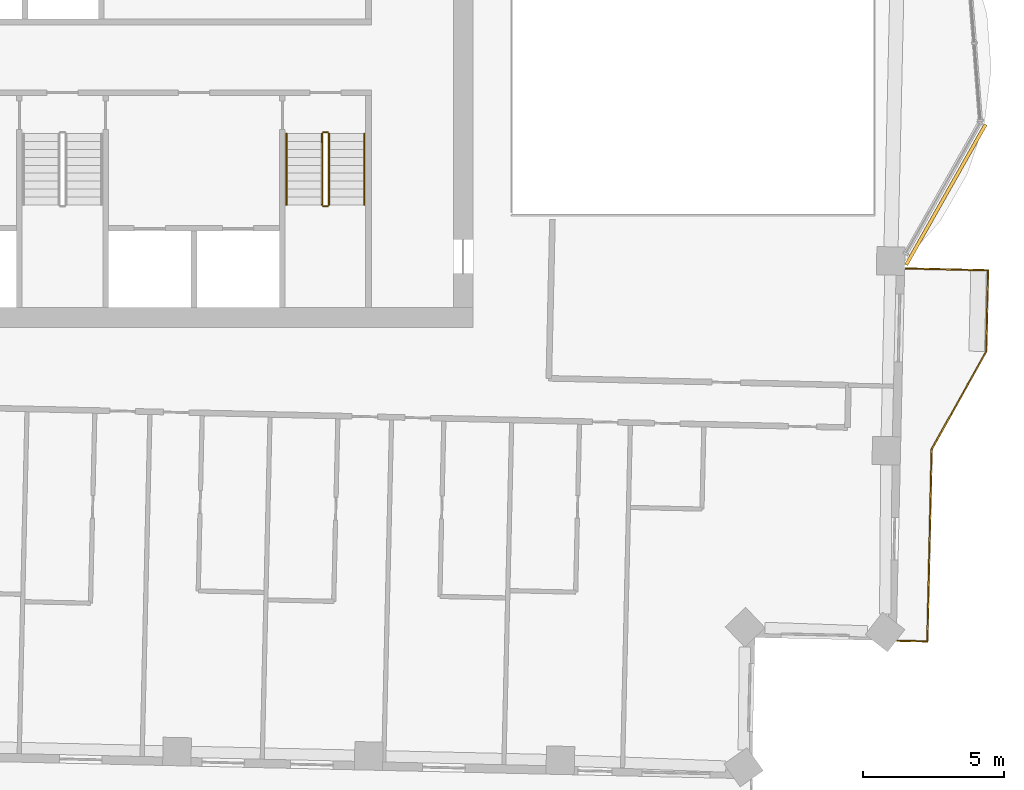
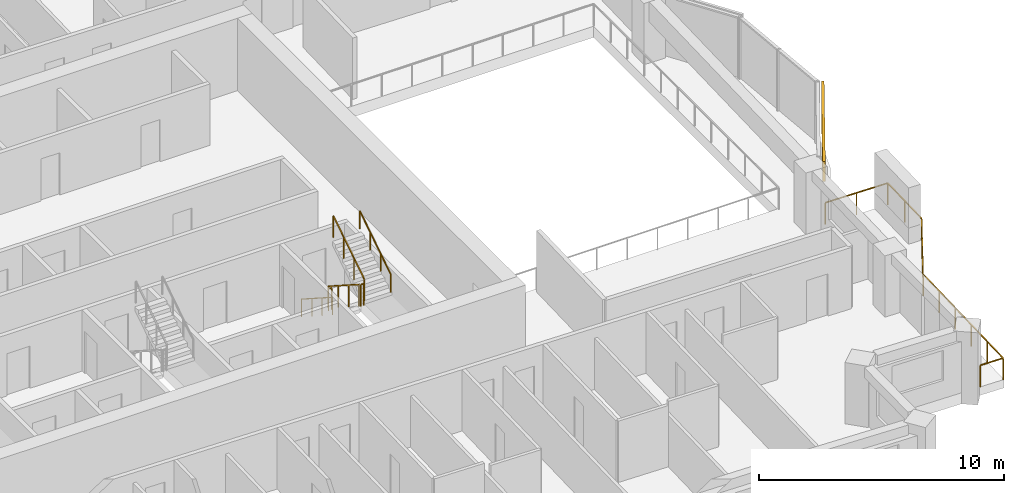
# One storey, part 16 of 17: 7 railings, 1 covering.
"""IFC4 building model written with IfcOpenShell, lengths in metres."""

from ifc_helpers import new_model, si_unit, direction, frame, frame_2d, origin, origin_2d, place, context, subcontext, project, spatial, rectangle, circle, extrude, material, layer, layer_set, type_object, element, save


model = new_model("IFC4")

# Units and contexts
model_context = context("Model", 3, precision=1e-05, world=origin(), true_north=direction((0.0, 1.0)))
body_context = subcontext(model_context, "Body", "Model", "MODEL_VIEW")
ifc_project = project(units=[si_unit("LENGTHUNIT", "METRE"), si_unit("AREAUNIT", "SQUARE_METRE"), si_unit("VOLUMEUNIT", "CUBIC_METRE"), si_unit("PLANEANGLEUNIT", "RADIAN"), si_unit("MASSUNIT", "GRAM", prefix="KILO")], contexts=[model_context])

# Site, building, storey
site_placement = place(None, origin())
site = spatial("IfcSite", under=ifc_project, at=site_placement, CompositionType="ELEMENT")
building_placement = place(site_placement, origin())
building = spatial("IfcBuilding", under=site, at=building_placement, Name="Mangrove Gate Tower", CompositionType="ELEMENT")
storey_placement = place(building_placement, frame((0.0, 0.0, 260.89990234375)))
storey = spatial("IfcBuildingStorey", under=building, at=storey_placement, Name="L66", CompositionType="ELEMENT", Elevation=260.89990234375)

# Railings
ifc_material_1 = material(Name="Stainless steel grade 316 with laminated glass infill", Category="steel")
railing_type_1 = type_object("IfcRailingType", Name="Balcony guard 1100", PredefinedType="GUARDRAIL", material=ifc_material_1)
railing_1_placement = place(storey_placement, frame((29.508056640625, -22.589111328125, 0.0)))
element("IfcRailing", 1, at=railing_1_placement, inside=storey, type_object=railing_type_1, Name="GUARD L66 E1", PredefinedType="GUARDRAIL", context=body_context, shape_type="SweptSolid", body=[
    extrude(rectangle(XDim=0.048095703125, YDim=0.048095703125, at=origin_2d()), frame((0.0, 0.0, 1.076171875), z_axis=(0.999745389313, -0.022564497502, 0.0), x_axis=(0.022564497502, 0.999745389313, 0.0)), (0.0, 0.0, 1.0), 1.060302734375),
    extrude(rectangle(XDim=0.048095703125, YDim=0.048095703125, at=origin_2d()), frame((1.06005859375, -0.02392578125, 1.076171875), z_axis=(0.022616210963, 0.999744220789, 0.0), x_axis=(-0.999744220789, 0.022616210963, 0.0)), (0.0, 0.0, 1.0), 6.80078125),
    extrude(rectangle(XDim=0.048095703125, YDim=0.048095703125, at=origin_2d()), frame((1.2138671875, 6.775146484375, 1.076171875), z_axis=(0.48726008209, 0.87325689943, 0.0), x_axis=(-0.87325689943, 0.48726008209, 0.0)), (0.0, 0.0, 1.0), 3.958740234375),
    extrude(rectangle(XDim=0.048095703125, YDim=0.048095703125, at=origin_2d()), frame((3.142822265625, 10.232177734375, 1.076171875), z_axis=(0.022675106248, 0.999742886725, 0.0), x_axis=(-0.999742886725, 0.022675106248, 0.0)), (0.0, 0.0, 1.0), 2.874755859375),
    extrude(rectangle(XDim=0.048095703125, YDim=0.048095703125, at=origin_2d()), frame((3.2080078125, 13.106201171875, 1.076171875), z_axis=(-0.999743392495, 0.022652795902, 0.0), x_axis=(-0.022652795902, -0.999743392495, 0.0)), (0.0, 0.0, 1.0), 2.909912109375),
    extrude(rectangle(XDim=0.0419921875, YDim=0.0419921875, at=origin_2d()), origin(), (0.0, 0.0, 1.0), 1.052001953125),
    extrude(rectangle(XDim=0.0419921875, YDim=0.0419921875, at=origin_2d()), frame((1.06005859375, -0.02392578125, 0.0)), (0.0, 0.0, 1.0), 1.052001953125),
    extrude(rectangle(XDim=0.0419921875, YDim=0.0419921875, at=origin_2d()), frame((1.0908203125, 1.3359375, 0.0)), (0.0, 0.0, 1.0), 1.052001953125),
    extrude(rectangle(XDim=0.0419921875, YDim=0.0419921875, at=origin_2d()), frame((1.12158203125, 2.69580078125, 0.0)), (0.0, 0.0, 1.0), 1.052001953125),
    extrude(rectangle(XDim=0.0419921875, YDim=0.0419921875, at=origin_2d()), frame((1.15234375, 4.055419921875, 0.0)), (0.0, 0.0, 1.0), 1.052001953125),
    extrude(rectangle(XDim=0.0419921875, YDim=0.0419921875, at=origin_2d()), frame((1.18310546875, 5.415283203125, 0.0)), (0.0, 0.0, 1.0), 1.052001953125),
    extrude(rectangle(XDim=0.0419921875, YDim=0.0419921875, at=origin_2d()), frame((1.2138671875, 6.775146484375, 0.0)), (0.0, 0.0, 1.0), 1.052001953125),
    extrude(rectangle(XDim=0.0419921875, YDim=0.0419921875, at=origin_2d()), frame((1.85693359375, 7.927490234375, 0.0)), (0.0, 0.0, 1.0), 1.052001953125),
    extrude(rectangle(XDim=0.0419921875, YDim=0.0419921875, at=origin_2d()), frame((2.499755859375, 9.079833984375, 0.0)), (0.0, 0.0, 1.0), 1.052001953125),
    extrude(rectangle(XDim=0.0419921875, YDim=0.0419921875, at=origin_2d()), frame((3.142822265625, 10.232177734375, 0.0)), (0.0, 0.0, 1.0), 1.052001953125),
    extrude(rectangle(XDim=0.0419921875, YDim=0.0419921875, at=origin_2d()), frame((3.17529296875, 11.669189453125, 0.0)), (0.0, 0.0, 1.0), 1.052001953125),
    extrude(rectangle(XDim=0.0419921875, YDim=0.0419921875, at=origin_2d()), frame((3.2080078125, 13.106201171875, 0.0)), (0.0, 0.0, 1.0), 1.052001953125),
    extrude(rectangle(XDim=0.0419921875, YDim=0.0419921875, at=origin_2d()), frame((1.75341796875, 13.13916015625, 0.0)), (0.0, 0.0, 1.0), 1.052001953125),
    extrude(rectangle(XDim=0.0419921875, YDim=0.0419921875, at=origin_2d()), frame((0.298828125, 13.172119140625, 0.0)), (0.0, 0.0, 1.0), 1.052001953125),
])
ifc_material_2 = material(Name="Stainless steel 316", Category="steel")
railing_type_2 = type_object("IfcRailingType", Name="Core stair guard 1100", PredefinedType="GUARDRAIL", material=ifc_material_2)
railing_2_placement = place(storey_placement, frame((9.14990234375, -4.64990234375, 0.18017578125)))
element("IfcRailing", 2, at=railing_2_placement, inside=storey, type_object=railing_type_2, Name="L66 ST3 stair guard 1", PredefinedType="GUARDRAIL", context=body_context, shape_type="SweptSolid", body=[
    extrude(rectangle(XDim=0.048095703125, YDim=0.048095703125, at=origin_2d()), frame((0.0, 0.0, 1.076171875), z_axis=(0.0, -0.841199657755, 0.540724639528), x_axis=(1.0, 0.0, 0.0)), (0.0, 0.0, 1.0), 2.995849609375),
    extrude(rectangle(XDim=0.0419921875, YDim=0.0419921875, at=origin_2d()), origin(), (0.0, 0.0, 1.0), 1.052001953125),
    extrude(rectangle(XDim=0.0419921875, YDim=0.0419921875, at=origin_2d()), frame((0.0, -0.840087890625, 0.5400390625)), (0.0, 0.0, 1.0), 1.052001953125),
    extrude(rectangle(XDim=0.0419921875, YDim=0.0419921875, at=origin_2d()), frame((0.0, -1.679931640625, 1.079833984375)), (0.0, 0.0, 1.0), 1.052001953125),
    extrude(rectangle(XDim=0.0419921875, YDim=0.0419921875, at=origin_2d()), frame((0.0, -2.52001953125, 1.619873046875)), (0.0, 0.0, 1.0), 1.052001953125),
])
railing_3_placement = place(storey_placement, frame((9.199951171875, -7.219970703125, 1.800048828125)))
element("IfcRailing", 3, at=railing_3_placement, inside=storey, type_object=railing_type_2, Name="L66 ST3 stair guard 2", PredefinedType="GUARDRAIL", context=body_context, shape_type="SweptSolid", body=[
    extrude(rectangle(XDim=0.048095703125, YDim=0.048095703125, at=origin_2d()), frame((0.0, 0.0, 1.076171875), z_axis=(1.0, 0.0, 0.0), x_axis=(0.0, 1.0, 0.0)), (0.0, 0.0, 1.0), 0.150146484375),
    extrude(rectangle(XDim=0.0419921875, YDim=0.0419921875, at=origin_2d()), origin(), (0.0, 0.0, 1.0), 1.052001953125),
    extrude(rectangle(XDim=0.0419921875, YDim=0.0419921875, at=origin_2d()), frame((0.150146484375, 0.0, 0.0)), (0.0, 0.0, 1.0), 1.052001953125),
])
railing_4_placement = place(storey_placement, frame((9.39990234375, -7.169921875, 1.97998046875)))
element("IfcRailing", 4, at=railing_4_placement, inside=storey, type_object=railing_type_2, Name="L66 ST3 stair guard 3", PredefinedType="GUARDRAIL", context=body_context, shape_type="SweptSolid", body=[
    extrude(rectangle(XDim=0.048095703125, YDim=0.048095703125, at=origin_2d()), frame((0.0, 0.0, 1.076171875), z_axis=(0.0, 0.841162588446, 0.540782303519), x_axis=(-1.0, 0.0, 0.0)), (0.0, 0.0, 1.0), 2.995849609375),
    extrude(rectangle(XDim=0.0419921875, YDim=0.0419921875, at=origin_2d()), origin(), (0.0, 0.0, 1.0), 1.052001953125),
    extrude(rectangle(XDim=0.0419921875, YDim=0.0419921875, at=origin_2d()), frame((0.0, 0.840087890625, 0.5400390625)), (0.0, 0.0, 1.0), 1.052001953125),
    extrude(rectangle(XDim=0.0419921875, YDim=0.0419921875, at=origin_2d()), frame((0.0, 1.679931640625, 1.080078125)), (0.0, 0.0, 1.0), 1.052001953125),
    extrude(rectangle(XDim=0.0419921875, YDim=0.0419921875, at=origin_2d()), frame((0.0, 2.52001953125, 1.6201171875)), (0.0, 0.0, 1.0), 1.052001953125),
])
railing_5_placement = place(storey_placement, frame((9.199951171875, -4.60009765625, 0.0)))
element("IfcRailing", 5, at=railing_5_placement, inside=storey, type_object=railing_type_2, Name="L66 ST3 stair guard 4", PredefinedType="GUARDRAIL", context=body_context, shape_type="SweptSolid", body=[
    extrude(rectangle(XDim=0.048095703125, YDim=0.048095703125, at=origin_2d()), frame((0.0, 0.0, 1.076171875), z_axis=(1.0, 0.0, 0.0), x_axis=(0.0, 1.0, 0.0)), (0.0, 0.0, 1.0), 0.150146484375),
    extrude(rectangle(XDim=0.0419921875, YDim=0.0419921875, at=origin_2d()), origin(), (0.0, 0.0, 1.0), 1.052001953125),
    extrude(rectangle(XDim=0.0419921875, YDim=0.0419921875, at=origin_2d()), frame((0.150146484375, 0.0, 0.0)), (0.0, 0.0, 1.0), 1.052001953125),
])
ifc_material_3 = material(Name="Stainless steel 316", Category="steel")
railing_type_3 = type_object("IfcRailingType", Name="Core stair handrail 900", PredefinedType="HANDRAIL", material=ifc_material_3)
railing_6_placement = place(storey_placement, frame((7.89990234375, -4.64990234375, 0.18017578125)))
element("IfcRailing", 6, at=railing_6_placement, inside=storey, type_object=railing_type_3, Name="L66 ST3 stair handrail 1", PredefinedType="HANDRAIL", context=body_context, shape_type="SweptSolid", body=[
    extrude(circle(Radius=0.02392578125, at=origin_2d()), frame((0.0, 0.0, 0.8759765625), z_axis=(0.0, -0.841199657755, 0.540724639528), x_axis=(1.0, 0.0, 0.0)), (0.0, 0.0, 1.0), 2.995849609375),
    extrude(circle(Radius=0.02099609375, at=origin_2d()), origin(), (0.0, 0.0, 1.0), 0.851806640625),
    extrude(circle(Radius=0.02099609375, at=origin_2d()), frame((0.0, -0.840087890625, 0.5400390625)), (0.0, 0.0, 1.0), 0.851806640625),
    extrude(circle(Radius=0.02099609375, at=origin_2d()), frame((0.0, -1.679931640625, 1.079833984375)), (0.0, 0.0, 1.0), 0.851806640625),
    extrude(circle(Radius=0.02099609375, at=origin_2d()), frame((0.0, -2.52001953125, 1.619873046875)), (0.0, 0.0, 1.0), 0.851806640625),
])
railing_7_placement = place(storey_placement, frame((10.64990234375, -7.169921875, 1.97998046875)))
element("IfcRailing", 7, at=railing_7_placement, inside=storey, type_object=railing_type_3, Name="L66 ST3 stair handrail 2", PredefinedType="HANDRAIL", context=body_context, shape_type="SweptSolid", body=[
    extrude(circle(Radius=0.02392578125, at=origin_2d()), frame((0.0, 0.0, 0.8759765625), z_axis=(0.0, 0.841162588446, 0.540782303519), x_axis=(-1.0, 0.0, 0.0)), (0.0, 0.0, 1.0), 2.995849609375),
    extrude(circle(Radius=0.02099609375, at=origin_2d()), origin(), (0.0, 0.0, 1.0), 0.851806640625),
    extrude(circle(Radius=0.02099609375, at=origin_2d()), frame((0.0, 0.840087890625, 0.5400390625)), (0.0, 0.0, 1.0), 0.851806640625),
    extrude(circle(Radius=0.02099609375, at=origin_2d()), frame((0.0, 1.679931640625, 1.080078125)), (0.0, 0.0, 1.0), 0.851806640625),
    extrude(circle(Radius=0.02099609375, at=origin_2d()), frame((0.0, 2.52001953125, 1.6201171875)), (0.0, 0.0, 1.0), 0.851806640625),
])

# Covering
ifc_material_4 = material(Name="Limestone", Category="masonry")
ifc_layer_1 = layer(ifc_material_4, 0.0400390625, Name="Limestone cladding")
ifc_material_5 = material(Name="Stainless steel anchors and cavity", Category="steel")
ifc_layer_2 = layer(ifc_material_5, 0.080078125, Name="Fixing cavity")
ifc_layer_set = layer_set([ifc_layer_1, ifc_layer_2], Name="Joint fascia cladding 120")
covering_type = type_object("IfcCoveringType", Name="Joint fascia cladding 120", PredefinedType="CLADDING", material=ifc_layer_set)
covering_placement = place(storey_placement, frame((29.820068359375, -9.29296875, 2.050048828125), z_axis=(0.0, 0.0, 1.0), x_axis=(0.492443523438, 0.870344400926, 0.0)))
element("IfcCovering", 8, at=covering_placement, inside=storey, type_object=covering_type, Name="STONE FASCIA L66 E1.L1", PredefinedType="CLADDING", context=body_context, shape_type="SweptSolid", body=[
    extrude(rectangle(XDim=5.705810546875, YDim=0.1201171875, at=frame_2d((2.85302734375, 0.0))), origin(), (0.0, 0.0, 1.0), 1.0),
])

save(model, "model.ifc")
